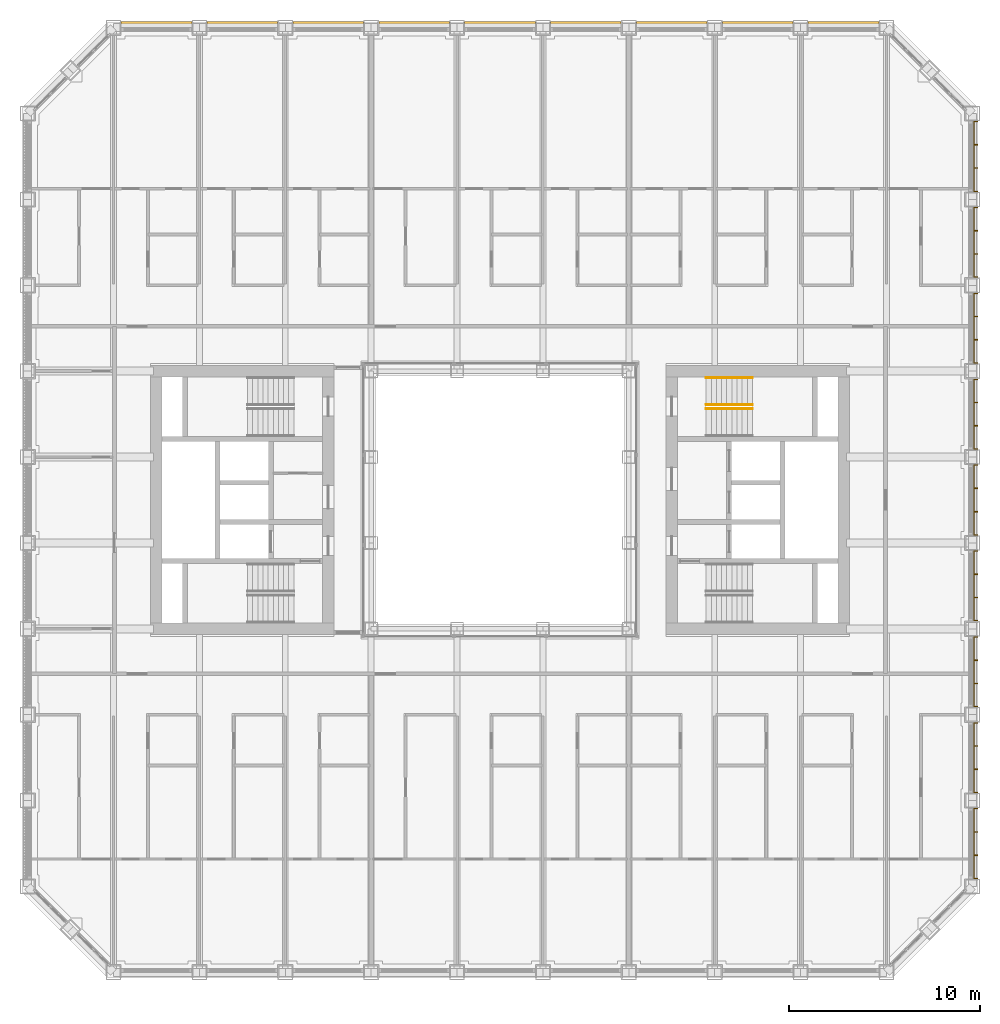
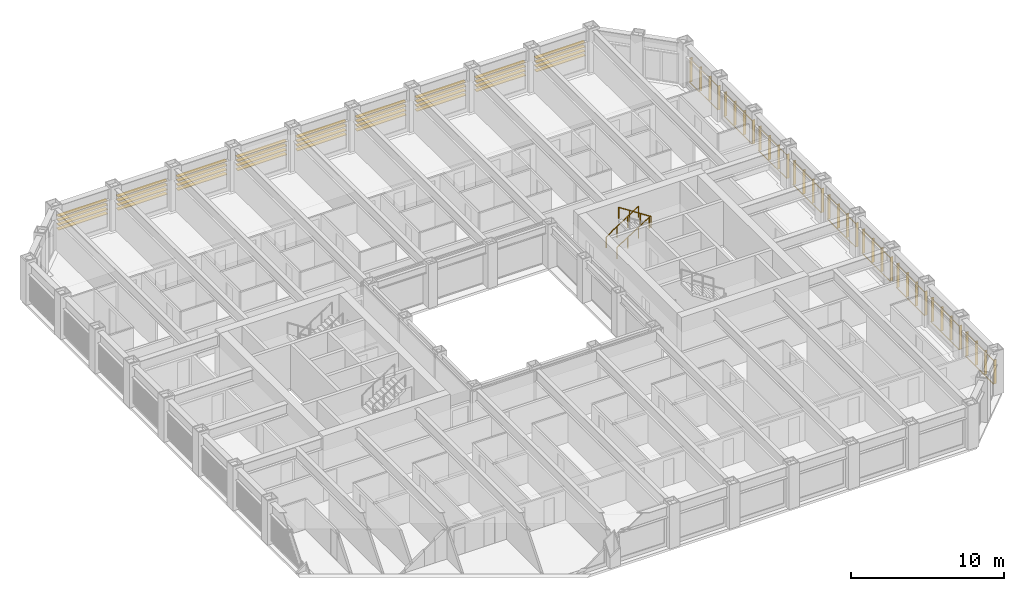
# One storey, part 21 of 21: 3 railings, 2 shading devices.
"""IFC4 building model written with IfcOpenShell, lengths in metres."""

from ifc_helpers import new_model, si_unit, direction, frame, origin, origin_2d, place, context, subcontext, project, spatial, rectangle, circle, extrude, material, type_object, element, save


model = new_model("IFC4")

# Units and contexts
model_context = context("Model", 3, precision=1e-05, world=origin(), true_north=direction((0.0, 1.0)))
body_context = subcontext(model_context, "Body", "Model", "MODEL_VIEW")
ifc_project = project(units=[si_unit("LENGTHUNIT", "METRE"), si_unit("AREAUNIT", "SQUARE_METRE"), si_unit("VOLUMEUNIT", "CUBIC_METRE"), si_unit("PLANEANGLEUNIT", "RADIAN"), si_unit("MASSUNIT", "GRAM", prefix="KILO")], contexts=[model_context])

# Site, building, storey
site_placement = place(None, origin())
site = spatial("IfcSite", under=ifc_project, at=site_placement, CompositionType="ELEMENT")
building_placement = place(site_placement, origin())
building = spatial("IfcBuilding", under=site, at=building_placement, Name="Msasa Ring Tower", CompositionType="ELEMENT")
storey_placement = place(building_placement, frame((0.0, 0.0, 93.0)))
storey = spatial("IfcBuildingStorey", under=building, at=storey_placement, Name="L24", CompositionType="ELEMENT", Elevation=93.0)

# Shading device
ifc_material_1 = material(Name="Extruded terracotta on aluminium carriers", Category="masonry")
shading_device_type_1 = type_object("IfcShadingDeviceType", Name="BS2 TERRACOTTA FIN SCREEN 40x200 AT 1350", PredefinedType="USERDEFINED", material=ifc_material_1)
shading_device_1_placement = place(storey_placement, origin())
element("IfcShadingDevice", 1, at=shading_device_1_placement, inside=storey, type_object=shading_device_type_1, Name="Terracotta fin screen E L24", ObjectType="BAGUETTE", PredefinedType="USERDEFINED", context=body_context, shape_type="SweptSolid", body=[
    extrude(rectangle(XDim=0.06005859375, YDim=0.0400390625, at=origin_2d()), frame((24.830078125, -19.85009765625, 0.330078125), z_axis=(0.0, 1.0, 0.0), x_axis=(0.0, 0.0, 1.0)), (0.0, 0.0, 1.0), 3.699951171875),
    extrude(rectangle(XDim=0.06005859375, YDim=0.0400390625, at=origin_2d()), frame((24.830078125, -19.85009765625, 2.198974609375), z_axis=(0.0, 1.0, 0.0), x_axis=(0.0, 0.0, 1.0)), (0.0, 0.0, 1.0), 3.699951171875),
    extrude(rectangle(XDim=0.0400390625, YDim=0.199951171875, at=origin_2d()), frame((24.945068359375, -19.830078125, 0.300048828125), z_axis=(0.0, 0.0, 1.0), x_axis=(0.0, 1.0, 0.0)), (0.0, 0.0, 1.0), 1.928955078125),
    extrude(rectangle(XDim=0.0400390625, YDim=0.199951171875, at=origin_2d()), frame((24.945068359375, -18.610107421875, 0.300048828125), z_axis=(0.0, 0.0, 1.0), x_axis=(0.0, 1.0, 0.0)), (0.0, 0.0, 1.0), 1.928955078125),
    extrude(rectangle(XDim=0.0400390625, YDim=0.199951171875, at=origin_2d()), frame((24.945068359375, -17.389892578125, 0.300048828125), z_axis=(0.0, 0.0, 1.0), x_axis=(0.0, 1.0, 0.0)), (0.0, 0.0, 1.0), 1.928955078125),
    extrude(rectangle(XDim=0.0400390625, YDim=0.199951171875, at=origin_2d()), frame((24.945068359375, -16.169921875, 0.300048828125), z_axis=(0.0, 0.0, 1.0), x_axis=(0.0, 1.0, 0.0)), (0.0, 0.0, 1.0), 1.928955078125),
    extrude(rectangle(XDim=0.06005859375, YDim=0.0400390625, at=origin_2d()), frame((24.830078125, -15.35009765625, 0.330078125), z_axis=(0.0, 1.0, 0.0), x_axis=(0.0, 0.0, 1.0)), (0.0, 0.0, 1.0), 3.699951171875),
    extrude(rectangle(XDim=0.06005859375, YDim=0.0400390625, at=origin_2d()), frame((24.830078125, -15.35009765625, 2.198974609375), z_axis=(0.0, 1.0, 0.0), x_axis=(0.0, 0.0, 1.0)), (0.0, 0.0, 1.0), 3.699951171875),
    extrude(rectangle(XDim=0.0400390625, YDim=0.199951171875, at=origin_2d()), frame((24.945068359375, -15.330078125, 0.300048828125), z_axis=(0.0, 0.0, 1.0), x_axis=(0.0, 1.0, 0.0)), (0.0, 0.0, 1.0), 1.928955078125),
    extrude(rectangle(XDim=0.0400390625, YDim=0.199951171875, at=origin_2d()), frame((24.945068359375, -14.110107421875, 0.300048828125), z_axis=(0.0, 0.0, 1.0), x_axis=(0.0, 1.0, 0.0)), (0.0, 0.0, 1.0), 1.928955078125),
    extrude(rectangle(XDim=0.0400390625, YDim=0.199951171875, at=origin_2d()), frame((24.945068359375, -12.889892578125, 0.300048828125), z_axis=(0.0, 0.0, 1.0), x_axis=(0.0, 1.0, 0.0)), (0.0, 0.0, 1.0), 1.928955078125),
    extrude(rectangle(XDim=0.0400390625, YDim=0.199951171875, at=origin_2d()), frame((24.945068359375, -11.669921875, 0.300048828125), z_axis=(0.0, 0.0, 1.0), x_axis=(0.0, 1.0, 0.0)), (0.0, 0.0, 1.0), 1.928955078125),
    extrude(rectangle(XDim=0.06005859375, YDim=0.0400390625, at=origin_2d()), frame((24.830078125, -10.85009765625, 0.330078125), z_axis=(0.0, 1.0, 0.0), x_axis=(0.0, 0.0, 1.0)), (0.0, 0.0, 1.0), 3.699951171875),
    extrude(rectangle(XDim=0.06005859375, YDim=0.0400390625, at=origin_2d()), frame((24.830078125, -10.85009765625, 2.198974609375), z_axis=(0.0, 1.0, 0.0), x_axis=(0.0, 0.0, 1.0)), (0.0, 0.0, 1.0), 3.699951171875),
    extrude(rectangle(XDim=0.0400390625, YDim=0.199951171875, at=origin_2d()), frame((24.945068359375, -10.830078125, 0.300048828125), z_axis=(0.0, 0.0, 1.0), x_axis=(0.0, 1.0, 0.0)), (0.0, 0.0, 1.0), 1.928955078125),
    extrude(rectangle(XDim=0.0400390625, YDim=0.199951171875, at=origin_2d()), frame((24.945068359375, -9.610107421875, 0.300048828125), z_axis=(0.0, 0.0, 1.0), x_axis=(0.0, 1.0, 0.0)), (0.0, 0.0, 1.0), 1.928955078125),
    extrude(rectangle(XDim=0.0400390625, YDim=0.199951171875, at=origin_2d()), frame((24.945068359375, -8.389892578125, 0.300048828125), z_axis=(0.0, 0.0, 1.0), x_axis=(0.0, 1.0, 0.0)), (0.0, 0.0, 1.0), 1.928955078125),
    extrude(rectangle(XDim=0.0400390625, YDim=0.199951171875, at=origin_2d()), frame((24.945068359375, -7.169921875, 0.300048828125), z_axis=(0.0, 0.0, 1.0), x_axis=(0.0, 1.0, 0.0)), (0.0, 0.0, 1.0), 1.928955078125),
    extrude(rectangle(XDim=0.06005859375, YDim=0.0400390625, at=origin_2d()), frame((24.830078125, -6.35009765625, 0.330078125), z_axis=(0.0, 1.0, 0.0), x_axis=(0.0, 0.0, 1.0)), (0.0, 0.0, 1.0), 3.699951171875),
    extrude(rectangle(XDim=0.06005859375, YDim=0.0400390625, at=origin_2d()), frame((24.830078125, -6.35009765625, 2.198974609375), z_axis=(0.0, 1.0, 0.0), x_axis=(0.0, 0.0, 1.0)), (0.0, 0.0, 1.0), 3.699951171875),
    extrude(rectangle(XDim=0.0400390625, YDim=0.199951171875, at=origin_2d()), frame((24.945068359375, -6.330078125, 0.300048828125), z_axis=(0.0, 0.0, 1.0), x_axis=(0.0, 1.0, 0.0)), (0.0, 0.0, 1.0), 1.928955078125),
    extrude(rectangle(XDim=0.0400390625, YDim=0.199951171875, at=origin_2d()), frame((24.945068359375, -5.110107421875, 0.300048828125), z_axis=(0.0, 0.0, 1.0), x_axis=(0.0, 1.0, 0.0)), (0.0, 0.0, 1.0), 1.928955078125),
    extrude(rectangle(XDim=0.0400390625, YDim=0.199951171875, at=origin_2d()), frame((24.945068359375, -3.889892578125, 0.300048828125), z_axis=(0.0, 0.0, 1.0), x_axis=(0.0, 1.0, 0.0)), (0.0, 0.0, 1.0), 1.928955078125),
    extrude(rectangle(XDim=0.0400390625, YDim=0.199951171875, at=origin_2d()), frame((24.945068359375, -2.669921875, 0.300048828125), z_axis=(0.0, 0.0, 1.0), x_axis=(0.0, 1.0, 0.0)), (0.0, 0.0, 1.0), 1.928955078125),
    extrude(rectangle(XDim=0.06005859375, YDim=0.0400390625, at=origin_2d()), frame((24.830078125, -1.85009765625, 0.330078125), z_axis=(0.0, 1.0, 0.0), x_axis=(0.0, 0.0, 1.0)), (0.0, 0.0, 1.0), 3.699951171875),
    extrude(rectangle(XDim=0.06005859375, YDim=0.0400390625, at=origin_2d()), frame((24.830078125, -1.85009765625, 2.198974609375), z_axis=(0.0, 1.0, 0.0), x_axis=(0.0, 0.0, 1.0)), (0.0, 0.0, 1.0), 3.699951171875),
    extrude(rectangle(XDim=0.0400390625, YDim=0.199951171875, at=origin_2d()), frame((24.945068359375, -1.830078125, 0.300048828125), z_axis=(0.0, 0.0, 1.0), x_axis=(0.0, 1.0, 0.0)), (0.0, 0.0, 1.0), 1.928955078125),
    extrude(rectangle(XDim=0.0400390625, YDim=0.199951171875, at=origin_2d()), frame((24.945068359375, -0.610107421875, 0.300048828125), z_axis=(0.0, 0.0, 1.0), x_axis=(0.0, 1.0, 0.0)), (0.0, 0.0, 1.0), 1.928955078125),
    extrude(rectangle(XDim=0.0400390625, YDim=0.199951171875, at=origin_2d()), frame((24.945068359375, 0.610107421875, 0.300048828125), z_axis=(0.0, 0.0, 1.0), x_axis=(0.0, 1.0, 0.0)), (0.0, 0.0, 1.0), 1.928955078125),
    extrude(rectangle(XDim=0.0400390625, YDim=0.199951171875, at=origin_2d()), frame((24.945068359375, 1.830078125, 0.300048828125), z_axis=(0.0, 0.0, 1.0), x_axis=(0.0, 1.0, 0.0)), (0.0, 0.0, 1.0), 1.928955078125),
    extrude(rectangle(XDim=0.06005859375, YDim=0.0400390625, at=origin_2d()), frame((24.830078125, 2.64990234375, 0.330078125), z_axis=(0.0, 1.0, 0.0), x_axis=(0.0, 0.0, 1.0)), (0.0, 0.0, 1.0), 3.699951171875),
    extrude(rectangle(XDim=0.06005859375, YDim=0.0400390625, at=origin_2d()), frame((24.830078125, 2.64990234375, 2.198974609375), z_axis=(0.0, 1.0, 0.0), x_axis=(0.0, 0.0, 1.0)), (0.0, 0.0, 1.0), 3.699951171875),
    extrude(rectangle(XDim=0.0400390625, YDim=0.199951171875, at=origin_2d()), frame((24.945068359375, 2.669921875, 0.300048828125), z_axis=(0.0, 0.0, 1.0), x_axis=(0.0, 1.0, 0.0)), (0.0, 0.0, 1.0), 1.928955078125),
    extrude(rectangle(XDim=0.0400390625, YDim=0.199951171875, at=origin_2d()), frame((24.945068359375, 3.889892578125, 0.300048828125), z_axis=(0.0, 0.0, 1.0), x_axis=(0.0, 1.0, 0.0)), (0.0, 0.0, 1.0), 1.928955078125),
    extrude(rectangle(XDim=0.0400390625, YDim=0.199951171875, at=origin_2d()), frame((24.945068359375, 5.110107421875, 0.300048828125), z_axis=(0.0, 0.0, 1.0), x_axis=(0.0, 1.0, 0.0)), (0.0, 0.0, 1.0), 1.928955078125),
    extrude(rectangle(XDim=0.0400390625, YDim=0.199951171875, at=origin_2d()), frame((24.945068359375, 6.330078125, 0.300048828125), z_axis=(0.0, 0.0, 1.0), x_axis=(0.0, 1.0, 0.0)), (0.0, 0.0, 1.0), 1.928955078125),
    extrude(rectangle(XDim=0.06005859375, YDim=0.0400390625, at=origin_2d()), frame((24.830078125, 7.14990234375, 0.330078125), z_axis=(0.0, 1.0, 0.0), x_axis=(0.0, 0.0, 1.0)), (0.0, 0.0, 1.0), 3.699951171875),
    extrude(rectangle(XDim=0.06005859375, YDim=0.0400390625, at=origin_2d()), frame((24.830078125, 7.14990234375, 2.198974609375), z_axis=(0.0, 1.0, 0.0), x_axis=(0.0, 0.0, 1.0)), (0.0, 0.0, 1.0), 3.699951171875),
    extrude(rectangle(XDim=0.0400390625, YDim=0.199951171875, at=origin_2d()), frame((24.945068359375, 7.169921875, 0.300048828125), z_axis=(0.0, 0.0, 1.0), x_axis=(0.0, 1.0, 0.0)), (0.0, 0.0, 1.0), 1.928955078125),
    extrude(rectangle(XDim=0.0400390625, YDim=0.199951171875, at=origin_2d()), frame((24.945068359375, 8.389892578125, 0.300048828125), z_axis=(0.0, 0.0, 1.0), x_axis=(0.0, 1.0, 0.0)), (0.0, 0.0, 1.0), 1.928955078125),
    extrude(rectangle(XDim=0.0400390625, YDim=0.199951171875, at=origin_2d()), frame((24.945068359375, 9.610107421875, 0.300048828125), z_axis=(0.0, 0.0, 1.0), x_axis=(0.0, 1.0, 0.0)), (0.0, 0.0, 1.0), 1.928955078125),
    extrude(rectangle(XDim=0.0400390625, YDim=0.199951171875, at=origin_2d()), frame((24.945068359375, 10.830078125, 0.300048828125), z_axis=(0.0, 0.0, 1.0), x_axis=(0.0, 1.0, 0.0)), (0.0, 0.0, 1.0), 1.928955078125),
    extrude(rectangle(XDim=0.06005859375, YDim=0.0400390625, at=origin_2d()), frame((24.830078125, 11.64990234375, 0.330078125), z_axis=(0.0, 1.0, 0.0), x_axis=(0.0, 0.0, 1.0)), (0.0, 0.0, 1.0), 3.699951171875),
    extrude(rectangle(XDim=0.06005859375, YDim=0.0400390625, at=origin_2d()), frame((24.830078125, 11.64990234375, 2.198974609375), z_axis=(0.0, 1.0, 0.0), x_axis=(0.0, 0.0, 1.0)), (0.0, 0.0, 1.0), 3.699951171875),
    extrude(rectangle(XDim=0.0400390625, YDim=0.199951171875, at=origin_2d()), frame((24.945068359375, 11.669921875, 0.300048828125), z_axis=(0.0, 0.0, 1.0), x_axis=(0.0, 1.0, 0.0)), (0.0, 0.0, 1.0), 1.928955078125),
    extrude(rectangle(XDim=0.0400390625, YDim=0.199951171875, at=origin_2d()), frame((24.945068359375, 12.889892578125, 0.300048828125), z_axis=(0.0, 0.0, 1.0), x_axis=(0.0, 1.0, 0.0)), (0.0, 0.0, 1.0), 1.928955078125),
    extrude(rectangle(XDim=0.0400390625, YDim=0.199951171875, at=origin_2d()), frame((24.945068359375, 14.110107421875, 0.300048828125), z_axis=(0.0, 0.0, 1.0), x_axis=(0.0, 1.0, 0.0)), (0.0, 0.0, 1.0), 1.928955078125),
    extrude(rectangle(XDim=0.0400390625, YDim=0.199951171875, at=origin_2d()), frame((24.945068359375, 15.330078125, 0.300048828125), z_axis=(0.0, 0.0, 1.0), x_axis=(0.0, 1.0, 0.0)), (0.0, 0.0, 1.0), 1.928955078125),
    extrude(rectangle(XDim=0.06005859375, YDim=0.0400390625, at=origin_2d()), frame((24.830078125, 16.14990234375, 0.330078125), z_axis=(0.0, 1.0, 0.0), x_axis=(0.0, 0.0, 1.0)), (0.0, 0.0, 1.0), 3.699951171875),
    extrude(rectangle(XDim=0.06005859375, YDim=0.0400390625, at=origin_2d()), frame((24.830078125, 16.14990234375, 2.198974609375), z_axis=(0.0, 1.0, 0.0), x_axis=(0.0, 0.0, 1.0)), (0.0, 0.0, 1.0), 3.699951171875),
    extrude(rectangle(XDim=0.0400390625, YDim=0.199951171875, at=origin_2d()), frame((24.945068359375, 16.169921875, 0.300048828125), z_axis=(0.0, 0.0, 1.0), x_axis=(0.0, 1.0, 0.0)), (0.0, 0.0, 1.0), 1.928955078125),
    extrude(rectangle(XDim=0.0400390625, YDim=0.199951171875, at=origin_2d()), frame((24.945068359375, 17.389892578125, 0.300048828125), z_axis=(0.0, 0.0, 1.0), x_axis=(0.0, 1.0, 0.0)), (0.0, 0.0, 1.0), 1.928955078125),
    extrude(rectangle(XDim=0.0400390625, YDim=0.199951171875, at=origin_2d()), frame((24.945068359375, 18.610107421875, 0.300048828125), z_axis=(0.0, 0.0, 1.0), x_axis=(0.0, 1.0, 0.0)), (0.0, 0.0, 1.0), 1.928955078125),
    extrude(rectangle(XDim=0.0400390625, YDim=0.199951171875, at=origin_2d()), frame((24.945068359375, 19.830078125, 0.300048828125), z_axis=(0.0, 0.0, 1.0), x_axis=(0.0, 1.0, 0.0)), (0.0, 0.0, 1.0), 1.928955078125),
])

# Railings
ifc_material_2 = material(Name="Stainless steel", Category="steel")
railing_type = type_object("IfcRailingType", Name="HR1 HANDRAIL 900", PredefinedType="HANDRAIL", material=ifc_material_2)
for number, where, name in (
    (2, (10.800048828125, 5.0, 0.175048828125), "Handrail stair SEB L24 1"),
    (3, (10.800048828125, 6.39990234375, 0.175048828125), "Handrail stair SEB L24 2"),
):
    element("IfcRailing", number, at=place(storey_placement, frame(where)), inside=storey, type_object=railing_type, Name=name, PredefinedType="HANDRAIL", context=body_context, shape_type="SweptSolid", body=[
        extrude(circle(Radius=0.02392578125, at=origin_2d()), frame((0.0, 0.0, 0.8759765625), z_axis=(0.839153699163, 0.0, 0.543894354798), x_axis=(0.0, 1.0, 0.0)), (0.0, 0.0, 1.0), 2.895751953125),
        extrude(circle(Radius=0.02099609375, at=origin_2d()), origin(), (0.0, 0.0, 1.0), 0.851806640625),
        extrude(circle(Radius=0.02099609375, at=origin_2d()), frame((0.81005859375, 0.0, 0.52490234375)), (0.0, 0.0, 1.0), 0.851806640625),
        extrude(circle(Radius=0.02099609375, at=origin_2d()), frame((1.619873046875, 0.0, 1.050048828125)), (0.0, 0.0, 1.0), 0.851806640625),
        extrude(circle(Radius=0.02099609375, at=origin_2d()), frame((2.429931640625, 0.0, 1.574951171875)), (0.0, 0.0, 1.0), 0.851806640625),
    ])
railing_placement = place(storey_placement, frame((13.22998046875, 4.77490234375, 1.925048828125)))
element("IfcRailing", 4, at=railing_placement, inside=storey, type_object=railing_type, Name="Handrail stair SEB L24 4", PredefinedType="HANDRAIL", context=body_context, shape_type="SweptSolid", body=[
    extrude(circle(Radius=0.02392578125, at=origin_2d()), frame((0.0, 0.0, 0.8759765625), z_axis=(-0.839153699163, 0.0, 0.543894354798), x_axis=(0.0, -1.0, 0.0)), (0.0, 0.0, 1.0), 2.895751953125),
    extrude(circle(Radius=0.02099609375, at=origin_2d()), origin(), (0.0, 0.0, 1.0), 0.851806640625),
    extrude(circle(Radius=0.02099609375, at=origin_2d()), frame((-0.81005859375, 0.0, 0.52490234375)), (0.0, 0.0, 1.0), 0.851806640625),
    extrude(circle(Radius=0.02099609375, at=origin_2d()), frame((-1.619873046875, 0.0, 1.050048828125)), (0.0, 0.0, 1.0), 0.851806640625),
    extrude(circle(Radius=0.02099609375, at=origin_2d()), frame((-2.429931640625, 0.0, 1.574951171875)), (0.0, 0.0, 1.0), 0.851806640625),
])

# Shading device
ifc_material_3 = material(Name="Extruded terracotta blades", Category="masonry")
shading_device_type_2 = type_object("IfcShadingDeviceType", Name="SS1 TERRACOTTA SUNSHADE 4 BLADES 300x40 AT 350", PredefinedType="USERDEFINED", material=ifc_material_3)
shading_device_2_placement = place(storey_placement, origin())
element("IfcShadingDevice", 5, at=shading_device_2_placement, inside=storey, type_object=shading_device_type_2, Name="Terracotta sunshade N L24", ObjectType="SUNSHADE", PredefinedType="USERDEFINED", context=body_context, shape_type="SweptSolid", body=[
    extrude(rectangle(XDim=0.0400390625, YDim=0.300048828125, at=origin_2d()), frame((-19.85009765625, 24.929931640625, 2.208984375), z_axis=(1.0, 0.0, 0.0), x_axis=(0.0, 0.0, 1.0)), (0.0, 0.0, 1.0), 3.699951171875),
    extrude(rectangle(XDim=0.0400390625, YDim=0.300048828125, at=origin_2d()), frame((-19.85009765625, 24.929931640625, 1.85888671875), z_axis=(1.0, 0.0, 0.0), x_axis=(0.0, 0.0, 1.0)), (0.0, 0.0, 1.0), 3.699951171875),
    extrude(rectangle(XDim=0.0400390625, YDim=0.300048828125, at=origin_2d()), frame((-19.85009765625, 24.929931640625, 1.509033203125), z_axis=(1.0, 0.0, 0.0), x_axis=(0.0, 0.0, 1.0)), (0.0, 0.0, 1.0), 3.699951171875),
    extrude(rectangle(XDim=0.0400390625, YDim=0.300048828125, at=origin_2d()), frame((-19.85009765625, 24.929931640625, 1.158935546875), z_axis=(1.0, 0.0, 0.0), x_axis=(0.0, 0.0, 1.0)), (0.0, 0.0, 1.0), 3.699951171875),
    extrude(rectangle(XDim=0.0400390625, YDim=0.300048828125, at=origin_2d()), frame((-15.35009765625, 24.929931640625, 2.208984375), z_axis=(1.0, 0.0, 0.0), x_axis=(0.0, 0.0, 1.0)), (0.0, 0.0, 1.0), 3.699951171875),
    extrude(rectangle(XDim=0.0400390625, YDim=0.300048828125, at=origin_2d()), frame((-15.35009765625, 24.929931640625, 1.85888671875), z_axis=(1.0, 0.0, 0.0), x_axis=(0.0, 0.0, 1.0)), (0.0, 0.0, 1.0), 3.699951171875),
    extrude(rectangle(XDim=0.0400390625, YDim=0.300048828125, at=origin_2d()), frame((-15.35009765625, 24.929931640625, 1.509033203125), z_axis=(1.0, 0.0, 0.0), x_axis=(0.0, 0.0, 1.0)), (0.0, 0.0, 1.0), 3.699951171875),
    extrude(rectangle(XDim=0.0400390625, YDim=0.300048828125, at=origin_2d()), frame((-15.35009765625, 24.929931640625, 1.158935546875), z_axis=(1.0, 0.0, 0.0), x_axis=(0.0, 0.0, 1.0)), (0.0, 0.0, 1.0), 3.699951171875),
    extrude(rectangle(XDim=0.0400390625, YDim=0.300048828125, at=origin_2d()), frame((-10.85009765625, 24.929931640625, 2.208984375), z_axis=(1.0, 0.0, 0.0), x_axis=(0.0, 0.0, 1.0)), (0.0, 0.0, 1.0), 3.699951171875),
    extrude(rectangle(XDim=0.0400390625, YDim=0.300048828125, at=origin_2d()), frame((-10.85009765625, 24.929931640625, 1.85888671875), z_axis=(1.0, 0.0, 0.0), x_axis=(0.0, 0.0, 1.0)), (0.0, 0.0, 1.0), 3.699951171875),
    extrude(rectangle(XDim=0.0400390625, YDim=0.300048828125, at=origin_2d()), frame((-10.85009765625, 24.929931640625, 1.509033203125), z_axis=(1.0, 0.0, 0.0), x_axis=(0.0, 0.0, 1.0)), (0.0, 0.0, 1.0), 3.699951171875),
    extrude(rectangle(XDim=0.0400390625, YDim=0.300048828125, at=origin_2d()), frame((-10.85009765625, 24.929931640625, 1.158935546875), z_axis=(1.0, 0.0, 0.0), x_axis=(0.0, 0.0, 1.0)), (0.0, 0.0, 1.0), 3.699951171875),
    extrude(rectangle(XDim=0.0400390625, YDim=0.300048828125, at=origin_2d()), frame((-6.35009765625, 24.929931640625, 2.208984375), z_axis=(1.0, 0.0, 0.0), x_axis=(0.0, 0.0, 1.0)), (0.0, 0.0, 1.0), 3.699951171875),
    extrude(rectangle(XDim=0.0400390625, YDim=0.300048828125, at=origin_2d()), frame((-6.35009765625, 24.929931640625, 1.85888671875), z_axis=(1.0, 0.0, 0.0), x_axis=(0.0, 0.0, 1.0)), (0.0, 0.0, 1.0), 3.699951171875),
    extrude(rectangle(XDim=0.0400390625, YDim=0.300048828125, at=origin_2d()), frame((-6.35009765625, 24.929931640625, 1.509033203125), z_axis=(1.0, 0.0, 0.0), x_axis=(0.0, 0.0, 1.0)), (0.0, 0.0, 1.0), 3.699951171875),
    extrude(rectangle(XDim=0.0400390625, YDim=0.300048828125, at=origin_2d()), frame((-6.35009765625, 24.929931640625, 1.158935546875), z_axis=(1.0, 0.0, 0.0), x_axis=(0.0, 0.0, 1.0)), (0.0, 0.0, 1.0), 3.699951171875),
    extrude(rectangle(XDim=0.0400390625, YDim=0.300048828125, at=origin_2d()), frame((-1.85009765625, 24.929931640625, 2.208984375), z_axis=(1.0, 0.0, 0.0), x_axis=(0.0, 0.0, 1.0)), (0.0, 0.0, 1.0), 3.699951171875),
    extrude(rectangle(XDim=0.0400390625, YDim=0.300048828125, at=origin_2d()), frame((-1.85009765625, 24.929931640625, 1.85888671875), z_axis=(1.0, 0.0, 0.0), x_axis=(0.0, 0.0, 1.0)), (0.0, 0.0, 1.0), 3.699951171875),
    extrude(rectangle(XDim=0.0400390625, YDim=0.300048828125, at=origin_2d()), frame((-1.85009765625, 24.929931640625, 1.509033203125), z_axis=(1.0, 0.0, 0.0), x_axis=(0.0, 0.0, 1.0)), (0.0, 0.0, 1.0), 3.699951171875),
    extrude(rectangle(XDim=0.0400390625, YDim=0.300048828125, at=origin_2d()), frame((-1.85009765625, 24.929931640625, 1.158935546875), z_axis=(1.0, 0.0, 0.0), x_axis=(0.0, 0.0, 1.0)), (0.0, 0.0, 1.0), 3.699951171875),
    extrude(rectangle(XDim=0.0400390625, YDim=0.300048828125, at=origin_2d()), frame((2.64990234375, 24.929931640625, 2.208984375), z_axis=(1.0, 0.0, 0.0), x_axis=(0.0, 0.0, 1.0)), (0.0, 0.0, 1.0), 3.699951171875),
    extrude(rectangle(XDim=0.0400390625, YDim=0.300048828125, at=origin_2d()), frame((2.64990234375, 24.929931640625, 1.85888671875), z_axis=(1.0, 0.0, 0.0), x_axis=(0.0, 0.0, 1.0)), (0.0, 0.0, 1.0), 3.699951171875),
    extrude(rectangle(XDim=0.0400390625, YDim=0.300048828125, at=origin_2d()), frame((2.64990234375, 24.929931640625, 1.509033203125), z_axis=(1.0, 0.0, 0.0), x_axis=(0.0, 0.0, 1.0)), (0.0, 0.0, 1.0), 3.699951171875),
    extrude(rectangle(XDim=0.0400390625, YDim=0.300048828125, at=origin_2d()), frame((2.64990234375, 24.929931640625, 1.158935546875), z_axis=(1.0, 0.0, 0.0), x_axis=(0.0, 0.0, 1.0)), (0.0, 0.0, 1.0), 3.699951171875),
    extrude(rectangle(XDim=0.0400390625, YDim=0.300048828125, at=origin_2d()), frame((7.14990234375, 24.929931640625, 2.208984375), z_axis=(1.0, 0.0, 0.0), x_axis=(0.0, 0.0, 1.0)), (0.0, 0.0, 1.0), 3.699951171875),
    extrude(rectangle(XDim=0.0400390625, YDim=0.300048828125, at=origin_2d()), frame((7.14990234375, 24.929931640625, 1.85888671875), z_axis=(1.0, 0.0, 0.0), x_axis=(0.0, 0.0, 1.0)), (0.0, 0.0, 1.0), 3.699951171875),
    extrude(rectangle(XDim=0.0400390625, YDim=0.300048828125, at=origin_2d()), frame((7.14990234375, 24.929931640625, 1.509033203125), z_axis=(1.0, 0.0, 0.0), x_axis=(0.0, 0.0, 1.0)), (0.0, 0.0, 1.0), 3.699951171875),
    extrude(rectangle(XDim=0.0400390625, YDim=0.300048828125, at=origin_2d()), frame((7.14990234375, 24.929931640625, 1.158935546875), z_axis=(1.0, 0.0, 0.0), x_axis=(0.0, 0.0, 1.0)), (0.0, 0.0, 1.0), 3.699951171875),
    extrude(rectangle(XDim=0.0400390625, YDim=0.300048828125, at=origin_2d()), frame((11.64990234375, 24.929931640625, 2.208984375), z_axis=(1.0, 0.0, 0.0), x_axis=(0.0, 0.0, 1.0)), (0.0, 0.0, 1.0), 3.699951171875),
    extrude(rectangle(XDim=0.0400390625, YDim=0.300048828125, at=origin_2d()), frame((11.64990234375, 24.929931640625, 1.85888671875), z_axis=(1.0, 0.0, 0.0), x_axis=(0.0, 0.0, 1.0)), (0.0, 0.0, 1.0), 3.699951171875),
    extrude(rectangle(XDim=0.0400390625, YDim=0.300048828125, at=origin_2d()), frame((11.64990234375, 24.929931640625, 1.509033203125), z_axis=(1.0, 0.0, 0.0), x_axis=(0.0, 0.0, 1.0)), (0.0, 0.0, 1.0), 3.699951171875),
    extrude(rectangle(XDim=0.0400390625, YDim=0.300048828125, at=origin_2d()), frame((11.64990234375, 24.929931640625, 1.158935546875), z_axis=(1.0, 0.0, 0.0), x_axis=(0.0, 0.0, 1.0)), (0.0, 0.0, 1.0), 3.699951171875),
    extrude(rectangle(XDim=0.0400390625, YDim=0.300048828125, at=origin_2d()), frame((16.14990234375, 24.929931640625, 2.208984375), z_axis=(1.0, 0.0, 0.0), x_axis=(0.0, 0.0, 1.0)), (0.0, 0.0, 1.0), 3.699951171875),
    extrude(rectangle(XDim=0.0400390625, YDim=0.300048828125, at=origin_2d()), frame((16.14990234375, 24.929931640625, 1.85888671875), z_axis=(1.0, 0.0, 0.0), x_axis=(0.0, 0.0, 1.0)), (0.0, 0.0, 1.0), 3.699951171875),
    extrude(rectangle(XDim=0.0400390625, YDim=0.300048828125, at=origin_2d()), frame((16.14990234375, 24.929931640625, 1.509033203125), z_axis=(1.0, 0.0, 0.0), x_axis=(0.0, 0.0, 1.0)), (0.0, 0.0, 1.0), 3.699951171875),
    extrude(rectangle(XDim=0.0400390625, YDim=0.300048828125, at=origin_2d()), frame((16.14990234375, 24.929931640625, 1.158935546875), z_axis=(1.0, 0.0, 0.0), x_axis=(0.0, 0.0, 1.0)), (0.0, 0.0, 1.0), 3.699951171875),
])

save(model, "model.ifc")
